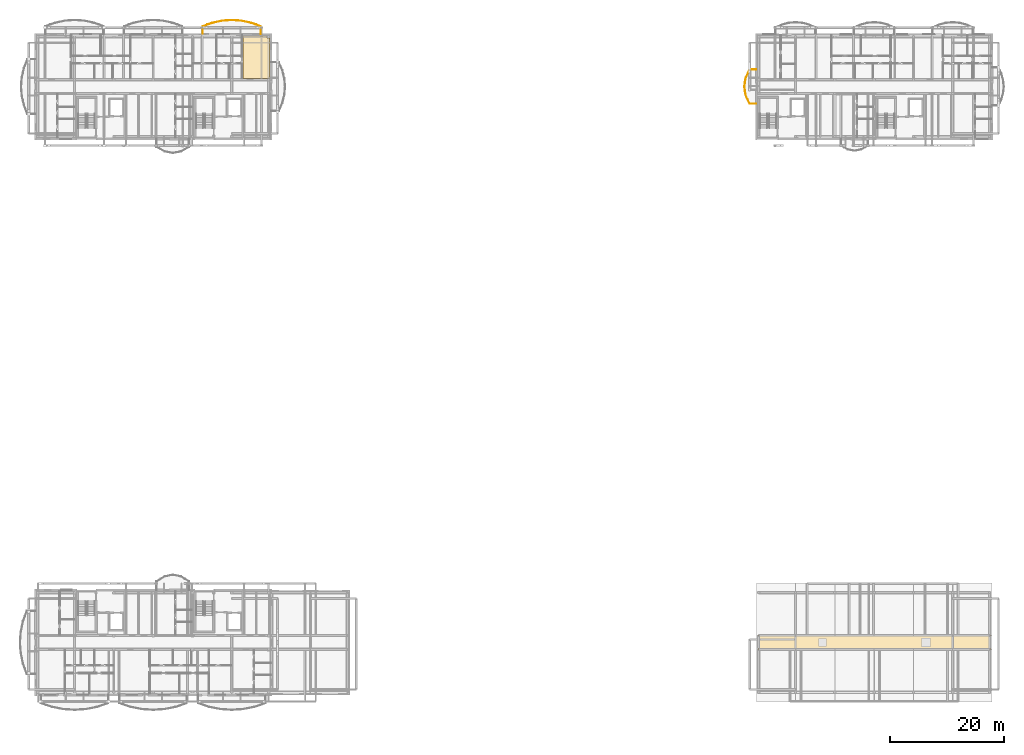
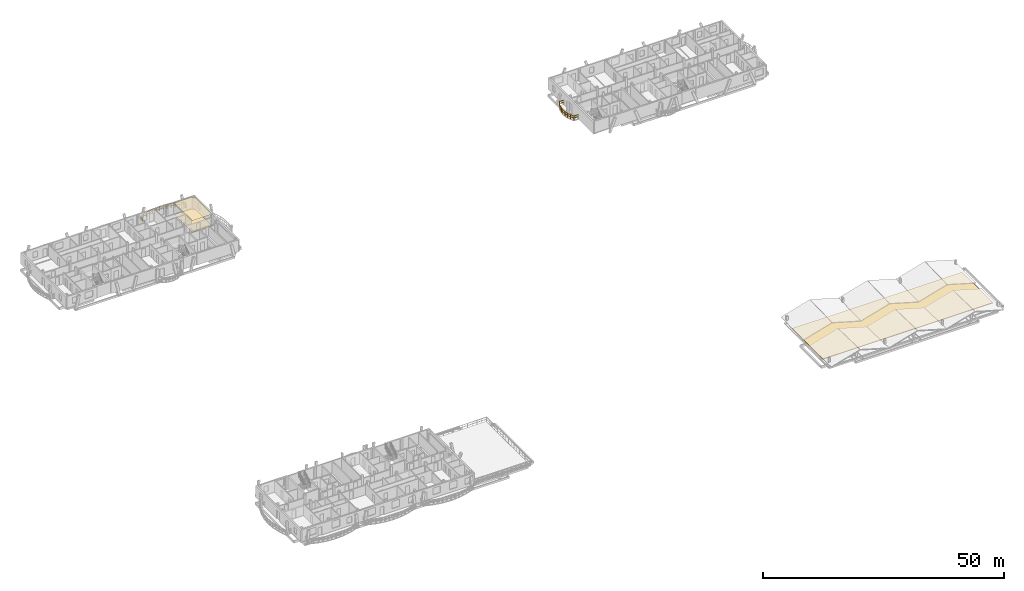
# One storey, part 31 of 33: 3 coverings, 2 railings.
"""IFC4 building model written with IfcOpenShell, lengths in metres."""

from ifc_helpers import new_model, si_unit, direction, frame, origin, origin_2d, place, context, subcontext, project, spatial, polyline, rectangle, outline, extrude, material, layer, layer_set, type_object, element, save


model = new_model("IFC4")

# Units and contexts
model_context = context("Model", 3, precision=1e-05, world=origin(), true_north=direction((0.0, 1.0)))
body_context = subcontext(model_context, "Body", "Model", "MODEL_VIEW")
ifc_project = project(units=[si_unit("LENGTHUNIT", "METRE"), si_unit("AREAUNIT", "SQUARE_METRE"), si_unit("VOLUMEUNIT", "CUBIC_METRE"), si_unit("PLANEANGLEUNIT", "RADIAN"), si_unit("MASSUNIT", "GRAM", prefix="KILO")], contexts=[model_context])

# Site, building, storey
site_placement = place(None, origin())
site = spatial("IfcSite", under=ifc_project, at=site_placement, CompositionType="ELEMENT")
building_placement = place(site_placement, origin())
building = spatial("IfcBuilding", under=site, at=building_placement, Name="Zavelmont Quarter", CompositionType="ELEMENT")
storey_placement = place(building_placement, frame((0.0, 0.0, 30.39990234375)))
storey = spatial("IfcBuildingStorey", under=building, at=storey_placement, Name="L09", CompositionType="ELEMENT", Elevation=30.39990234375)

# Coverings
ifc_material_1 = material(Name="Perforated acoustic gypsum board")
ifc_layer_1 = layer(ifc_material_1, 0.02490234375)
ifc_layer_set_1 = layer_set([ifc_layer_1], Name="Perforated acoustic gypsum board")
covering_type_1 = type_object("IfcCoveringType", Name="CV-CL01", PredefinedType="CEILING", material=ifc_layer_set_1)
covering_1_placement = place(storey_placement, frame((0.0, 0.0, 2.93505859375)))
element("IfcCovering", 1, at=covering_1_placement, inside=storey, type_object=covering_type_1, Name="L09 Living Dining acoustic ceiling", PredefinedType="CEILING", context=body_context, shape_type="SweptSolid", body=[
    extrude(outline(polyline([(36.429931640625, 115.719970703125), (40.719970703125, 115.719970703125), (40.719970703125, 115.320068359375), (41.169921875, 115.320068359375), (41.169921875, 108.239990234375), (40.719970703125, 108.239990234375), (40.719970703125, 108.22998046875), (36.429931640625, 108.22998046875), (36.429931640625, 115.719970703125)])), origin(), (0.0, 0.0, 1.0), 0.025146484375),
])
ifc_material_2 = material(Name="Engineered European oak parquet")
ifc_layer_2 = layer(ifc_material_2, 0.02197265625)
ifc_layer_set_2 = layer_set([ifc_layer_2], Name="Engineered European oak parquet")
covering_type_2 = type_object("IfcCoveringType", Name="CV-FL01", PredefinedType="FLOORING", material=ifc_layer_set_2)
covering_2_placement = place(storey_placement, origin())
element("IfcCovering", 2, at=covering_2_placement, inside=storey, type_object=covering_type_2, Name="L09 Living Dining floor finish", PredefinedType="FLOORING", context=body_context, shape_type="SweptSolid", body=[
    extrude(outline(polyline([(36.429931640625, 115.719970703125), (40.719970703125, 115.719970703125), (40.719970703125, 115.320068359375), (41.169921875, 115.320068359375), (41.169921875, 108.239990234375), (40.719970703125, 108.239990234375), (40.719970703125, 108.22998046875), (36.429931640625, 108.22998046875), (36.429931640625, 115.719970703125)])), origin(), (0.0, 0.0, 1.0), 0.022216796875),
])
ifc_material_3 = material(Name="EPDM waterproofing membrane and mineral insulation")
ifc_layer_3 = layer(ifc_material_3, 0.139892578125)
ifc_layer_set_3 = layer_set([ifc_layer_3], Name="EPDM waterproofing membrane and mineral insulation")
covering_type_3 = type_object("IfcCoveringType", Name="CV-RF01", PredefinedType="ROOFING", material=ifc_layer_set_3)
covering_3_placement = place(storey_placement, origin())
element("IfcCovering", 3, at=covering_3_placement, inside=storey, type_object=covering_type_3, Name="L09 roof build-up CV-RF01", PredefinedType="ROOFING", context=body_context, shape_type="SweptSolid", body=[
    extrude(outline(polyline([(126.89990234375, 2.800048828125), (167.699951171875, 2.800048828125), (167.699951171875, 15.60009765625), (126.89990234375, 15.60009765625), (126.89990234375, 2.800048828125)])), origin(), (0.0, 0.0, 1.0), 0.14013671875),
])

# Railings
ifc_material_4 = material(Name="Powder-coated steel and tempered double safety glass", Category="steel")
railing_type = type_object("IfcRailingType", Name="RL-BAL1", PredefinedType="BALUSTRADE", material=ifc_material_4)
railing_1_placement = place(storey_placement, frame((39.59619140625, 116.02001953125, 0.0)))
element("IfcRailing", 4, at=railing_1_placement, inside=storey, type_object=railing_type, Name="L09 Block B curved balcony guard RL-BAL1", PredefinedType="BALUSTRADE", context=body_context, shape_type="SweptSolid", body=[
    extrude(rectangle(XDim=0.048095703125, YDim=0.048095703125, at=origin_2d()), frame((0.0, 0.0, 1.076171875), z_axis=(0.0, 1.0, 0.0), x_axis=(-1.0, 0.0, 0.0)), (0.0, 0.0, 1.0), 1.364990234375),
    extrude(rectangle(XDim=0.048095703125, YDim=0.048095703125, at=origin_2d()), frame((0.0, 0.0, 0.550048828125), z_axis=(0.0, 1.0, 0.0), x_axis=(-1.0, 0.0, 0.0)), (0.0, 0.0, 1.0), 1.364990234375),
    extrude(rectangle(XDim=0.048095703125, YDim=0.048095703125, at=origin_2d()), frame((0.0, 1.364990234375, 1.076171875), z_axis=(-0.942127279107, 0.335255410042, 0.0), x_axis=(-0.335255410042, -0.942127279107, 0.0)), (0.0, 0.0, 1.0), 1.802978515625),
    extrude(rectangle(XDim=0.048095703125, YDim=0.048095703125, at=origin_2d()), frame((0.0, 1.364990234375, 0.550048828125), z_axis=(-0.942127279107, 0.335255410042, 0.0), x_axis=(-0.335255410042, -0.942127279107, 0.0)), (0.0, 0.0, 1.0), 1.802978515625),
    extrude(rectangle(XDim=0.048095703125, YDim=0.048095703125, at=origin_2d()), frame((-1.69873046875, 1.969482421875, 1.076171875), z_axis=(-0.977974860236, 0.208722717369, 0.0), x_axis=(-0.208722717369, -0.977974860236, 0.0)), (0.0, 0.0, 1.0), 1.737060546875),
    extrude(rectangle(XDim=0.048095703125, YDim=0.048095703125, at=origin_2d()), frame((-1.69873046875, 1.969482421875, 0.550048828125), z_axis=(-0.977974860236, 0.208722717369, 0.0), x_axis=(-0.208722717369, -0.977974860236, 0.0)), (0.0, 0.0, 1.0), 1.737060546875),
    extrude(rectangle(XDim=0.048095703125, YDim=0.048095703125, at=origin_2d()), frame((-3.3974609375, 2.33203125, 1.076171875), z_axis=(-0.997479034676, 0.070961788181, 0.0), x_axis=(-0.070961788181, -0.997479034676, 0.0)), (0.0, 0.0, 1.0), 1.703125),
    extrude(rectangle(XDim=0.048095703125, YDim=0.048095703125, at=origin_2d()), frame((-3.3974609375, 2.33203125, 0.550048828125), z_axis=(-0.997479034676, 0.070961788181, 0.0), x_axis=(-0.070961788181, -0.997479034676, 0.0)), (0.0, 0.0, 1.0), 1.703125),
    extrude(rectangle(XDim=0.048095703125, YDim=0.048095703125, at=origin_2d()), frame((-5.09619140625, 2.452880859375, 1.076171875), z_axis=(-0.997479034676, -0.070961788181, 0.0), x_axis=(0.070961788181, -0.997479034676, 0.0)), (0.0, 0.0, 1.0), 1.703125),
    extrude(rectangle(XDim=0.048095703125, YDim=0.048095703125, at=origin_2d()), frame((-5.09619140625, 2.452880859375, 0.550048828125), z_axis=(-0.997479034676, -0.070961788181, 0.0), x_axis=(0.070961788181, -0.997479034676, 0.0)), (0.0, 0.0, 1.0), 1.703125),
    extrude(rectangle(XDim=0.048095703125, YDim=0.048095703125, at=origin_2d()), frame((-6.794921875, 2.33203125, 1.076171875), z_axis=(-0.977974860236, -0.208722717369, 0.0), x_axis=(0.208722717369, -0.977974860236, 0.0)), (0.0, 0.0, 1.0), 1.737060546875),
    extrude(rectangle(XDim=0.048095703125, YDim=0.048095703125, at=origin_2d()), frame((-6.794921875, 2.33203125, 0.550048828125), z_axis=(-0.977974860236, -0.208722717369, 0.0), x_axis=(0.208722717369, -0.977974860236, 0.0)), (0.0, 0.0, 1.0), 1.737060546875),
    extrude(rectangle(XDim=0.048095703125, YDim=0.048095703125, at=origin_2d()), frame((-8.49365234375, 1.969482421875, 1.076171875), z_axis=(-0.942127279107, -0.335255410042, 0.0), x_axis=(0.335255410042, -0.942127279107, 0.0)), (0.0, 0.0, 1.0), 1.802978515625),
    extrude(rectangle(XDim=0.048095703125, YDim=0.048095703125, at=origin_2d()), frame((-8.49365234375, 1.969482421875, 0.550048828125), z_axis=(-0.942127279107, -0.335255410042, 0.0), x_axis=(0.335255410042, -0.942127279107, 0.0)), (0.0, 0.0, 1.0), 1.802978515625),
    extrude(rectangle(XDim=0.048095703125, YDim=0.048095703125, at=origin_2d()), frame((-10.1923828125, 1.364990234375, 1.076171875), z_axis=(0.0, -1.0, 0.0), x_axis=(1.0, 0.0, 0.0)), (0.0, 0.0, 1.0), 1.364990234375),
    extrude(rectangle(XDim=0.048095703125, YDim=0.048095703125, at=origin_2d()), frame((-10.1923828125, 1.364990234375, 0.550048828125), z_axis=(0.0, -1.0, 0.0), x_axis=(1.0, 0.0, 0.0)), (0.0, 0.0, 1.0), 1.364990234375),
    extrude(rectangle(XDim=0.0419921875, YDim=0.0419921875, at=origin_2d()), origin(), (0.0, 0.0, 1.0), 1.052001953125),
    extrude(rectangle(XDim=0.0419921875, YDim=0.0419921875, at=origin_2d()), frame((0.0, 0.6826171875, 0.0)), (0.0, 0.0, 1.0), 1.052001953125),
    extrude(rectangle(XDim=0.0419921875, YDim=0.0419921875, at=origin_2d()), frame((0.0, 1.364990234375, 0.0)), (0.0, 0.0, 1.0), 1.052001953125),
    extrude(rectangle(XDim=0.0419921875, YDim=0.0419921875, at=origin_2d()), frame((-0.849365234375, 1.667236328125, 0.0)), (0.0, 0.0, 1.0), 1.052001953125),
    extrude(rectangle(XDim=0.0419921875, YDim=0.0419921875, at=origin_2d()), frame((-1.69873046875, 1.969482421875, 0.0)), (0.0, 0.0, 1.0), 1.052001953125),
    extrude(rectangle(XDim=0.0419921875, YDim=0.0419921875, at=origin_2d()), frame((-2.548095703125, 2.15087890625, 0.0)), (0.0, 0.0, 1.0), 1.052001953125),
    extrude(rectangle(XDim=0.0419921875, YDim=0.0419921875, at=origin_2d()), frame((-3.3974609375, 2.33203125, 0.0)), (0.0, 0.0, 1.0), 1.052001953125),
    extrude(rectangle(XDim=0.0419921875, YDim=0.0419921875, at=origin_2d()), frame((-4.246826171875, 2.392578125, 0.0)), (0.0, 0.0, 1.0), 1.052001953125),
    extrude(rectangle(XDim=0.0419921875, YDim=0.0419921875, at=origin_2d()), frame((-5.09619140625, 2.452880859375, 0.0)), (0.0, 0.0, 1.0), 1.052001953125),
    extrude(rectangle(XDim=0.0419921875, YDim=0.0419921875, at=origin_2d()), frame((-5.945556640625, 2.392578125, 0.0)), (0.0, 0.0, 1.0), 1.052001953125),
    extrude(rectangle(XDim=0.0419921875, YDim=0.0419921875, at=origin_2d()), frame((-6.794921875, 2.33203125, 0.0)), (0.0, 0.0, 1.0), 1.052001953125),
    extrude(rectangle(XDim=0.0419921875, YDim=0.0419921875, at=origin_2d()), frame((-7.644287109375, 2.15087890625, 0.0)), (0.0, 0.0, 1.0), 1.052001953125),
    extrude(rectangle(XDim=0.0419921875, YDim=0.0419921875, at=origin_2d()), frame((-8.49365234375, 1.969482421875, 0.0)), (0.0, 0.0, 1.0), 1.052001953125),
    extrude(rectangle(XDim=0.0419921875, YDim=0.0419921875, at=origin_2d()), frame((-9.343017578125, 1.667236328125, 0.0)), (0.0, 0.0, 1.0), 1.052001953125),
    extrude(rectangle(XDim=0.0419921875, YDim=0.0419921875, at=origin_2d()), frame((-10.1923828125, 1.364990234375, 0.0)), (0.0, 0.0, 1.0), 1.052001953125),
    extrude(rectangle(XDim=0.0419921875, YDim=0.0419921875, at=origin_2d()), frame((-10.1923828125, 0.6826171875, 0.0)), (0.0, 0.0, 1.0), 1.052001953125),
    extrude(rectangle(XDim=0.0419921875, YDim=0.0419921875, at=origin_2d()), frame((-10.1923828125, 0.0, 0.0)), (0.0, 0.0, 1.0), 1.052001953125),
])
railing_2_placement = place(storey_placement, frame((126.580078125, 109.8212890625, 0.0)))
element("IfcRailing", 5, at=railing_2_placement, inside=storey, type_object=railing_type, Name="L09 Block C curved balcony guard RL-BAL1", PredefinedType="BALUSTRADE", context=body_context, shape_type="SweptSolid", body=[
    extrude(rectangle(XDim=0.048095703125, YDim=0.048095703125, at=origin_2d()), frame((0.0, 0.0, 1.076171875), z_axis=(-1.0, 0.0, 0.0), x_axis=(0.0, -1.0, 0.0)), (0.0, 0.0, 1.0), 1.14306640625),
    extrude(rectangle(XDim=0.048095703125, YDim=0.048095703125, at=origin_2d()), frame((0.0, 0.0, 0.550048828125), z_axis=(-1.0, 0.0, 0.0), x_axis=(0.0, -1.0, 0.0)), (0.0, 0.0, 1.0), 1.14306640625),
    extrude(rectangle(XDim=0.048095703125, YDim=0.048095703125, at=origin_2d()), frame((-1.14306640625, 0.0, 1.076171875), z_axis=(-0.413281697671, -0.91060322774, 0.0), x_axis=(0.91060322774, -0.413281697671, 0.0)), (0.0, 0.0, 1.0), 1.65869140625),
    extrude(rectangle(XDim=0.048095703125, YDim=0.048095703125, at=origin_2d()), frame((-1.14306640625, 0.0, 0.550048828125), z_axis=(-0.413281697671, -0.91060322774, 0.0), x_axis=(0.91060322774, -0.413281697671, 0.0)), (0.0, 0.0, 1.0), 1.65869140625),
    extrude(rectangle(XDim=0.048095703125, YDim=0.048095703125, at=origin_2d()), frame((-1.82861328125, -1.510498046875, 1.076171875), z_axis=(-0.149559241982, -0.988752766437, 0.0), x_axis=(0.988752766437, -0.149559241982, 0.0)), (0.0, 0.0, 1.0), 1.52783203125),
    extrude(rectangle(XDim=0.048095703125, YDim=0.048095703125, at=origin_2d()), frame((-1.82861328125, -1.510498046875, 0.550048828125), z_axis=(-0.149559241982, -0.988752766437, 0.0), x_axis=(0.988752766437, -0.149559241982, 0.0)), (0.0, 0.0, 1.0), 1.52783203125),
    extrude(rectangle(XDim=0.048095703125, YDim=0.048095703125, at=origin_2d()), frame((-2.05712890625, -3.021240234375, 1.076171875), z_axis=(0.149559241982, -0.988752766437, 0.0), x_axis=(0.988752766437, 0.149559241982, 0.0)), (0.0, 0.0, 1.0), 1.52783203125),
    extrude(rectangle(XDim=0.048095703125, YDim=0.048095703125, at=origin_2d()), frame((-2.05712890625, -3.021240234375, 0.550048828125), z_axis=(0.149559241982, -0.988752766437, 0.0), x_axis=(0.988752766437, 0.149559241982, 0.0)), (0.0, 0.0, 1.0), 1.52783203125),
    extrude(rectangle(XDim=0.048095703125, YDim=0.048095703125, at=origin_2d()), frame((-1.82861328125, -4.531982421875, 1.076171875), z_axis=(0.413226315214, -0.910628361306, 0.0), x_axis=(0.910628361306, 0.413226315214, 0.0)), (0.0, 0.0, 1.0), 1.658935546875),
    extrude(rectangle(XDim=0.048095703125, YDim=0.048095703125, at=origin_2d()), frame((-1.82861328125, -4.531982421875, 0.550048828125), z_axis=(0.413226315214, -0.910628361306, 0.0), x_axis=(0.910628361306, 0.413226315214, 0.0)), (0.0, 0.0, 1.0), 1.658935546875),
    extrude(rectangle(XDim=0.048095703125, YDim=0.048095703125, at=origin_2d()), frame((-1.14306640625, -6.042724609375, 1.076171875), z_axis=(1.0, 0.0, 0.0), x_axis=(0.0, 1.0, 0.0)), (0.0, 0.0, 1.0), 1.14306640625),
    extrude(rectangle(XDim=0.048095703125, YDim=0.048095703125, at=origin_2d()), frame((-1.14306640625, -6.042724609375, 0.550048828125), z_axis=(1.0, 0.0, 0.0), x_axis=(0.0, 1.0, 0.0)), (0.0, 0.0, 1.0), 1.14306640625),
    extrude(rectangle(XDim=0.0419921875, YDim=0.0419921875, at=origin_2d()), origin(), (0.0, 0.0, 1.0), 1.052001953125),
    extrude(rectangle(XDim=0.0419921875, YDim=0.0419921875, at=origin_2d()), frame((-1.14306640625, 0.0, 0.0)), (0.0, 0.0, 1.0), 1.052001953125),
    extrude(rectangle(XDim=0.0419921875, YDim=0.0419921875, at=origin_2d()), frame((-1.48583984375, -0.75537109375, 0.0)), (0.0, 0.0, 1.0), 1.052001953125),
    extrude(rectangle(XDim=0.0419921875, YDim=0.0419921875, at=origin_2d()), frame((-1.82861328125, -1.510498046875, 0.0)), (0.0, 0.0, 1.0), 1.052001953125),
    extrude(rectangle(XDim=0.0419921875, YDim=0.0419921875, at=origin_2d()), frame((-1.94287109375, -2.265869140625, 0.0)), (0.0, 0.0, 1.0), 1.052001953125),
    extrude(rectangle(XDim=0.0419921875, YDim=0.0419921875, at=origin_2d()), frame((-2.05712890625, -3.021240234375, 0.0)), (0.0, 0.0, 1.0), 1.052001953125),
    extrude(rectangle(XDim=0.0419921875, YDim=0.0419921875, at=origin_2d()), frame((-1.94287109375, -3.776611328125, 0.0)), (0.0, 0.0, 1.0), 1.052001953125),
    extrude(rectangle(XDim=0.0419921875, YDim=0.0419921875, at=origin_2d()), frame((-1.82861328125, -4.531982421875, 0.0)), (0.0, 0.0, 1.0), 1.052001953125),
    extrude(rectangle(XDim=0.0419921875, YDim=0.0419921875, at=origin_2d()), frame((-1.48583984375, -5.287353515625, 0.0)), (0.0, 0.0, 1.0), 1.052001953125),
    extrude(rectangle(XDim=0.0419921875, YDim=0.0419921875, at=origin_2d()), frame((-1.14306640625, -6.042724609375, 0.0)), (0.0, 0.0, 1.0), 1.052001953125),
    extrude(rectangle(XDim=0.0419921875, YDim=0.0419921875, at=origin_2d()), frame((0.0, -6.042724609375, 0.0)), (0.0, 0.0, 1.0), 1.052001953125),
])

save(model, "model.ifc")
